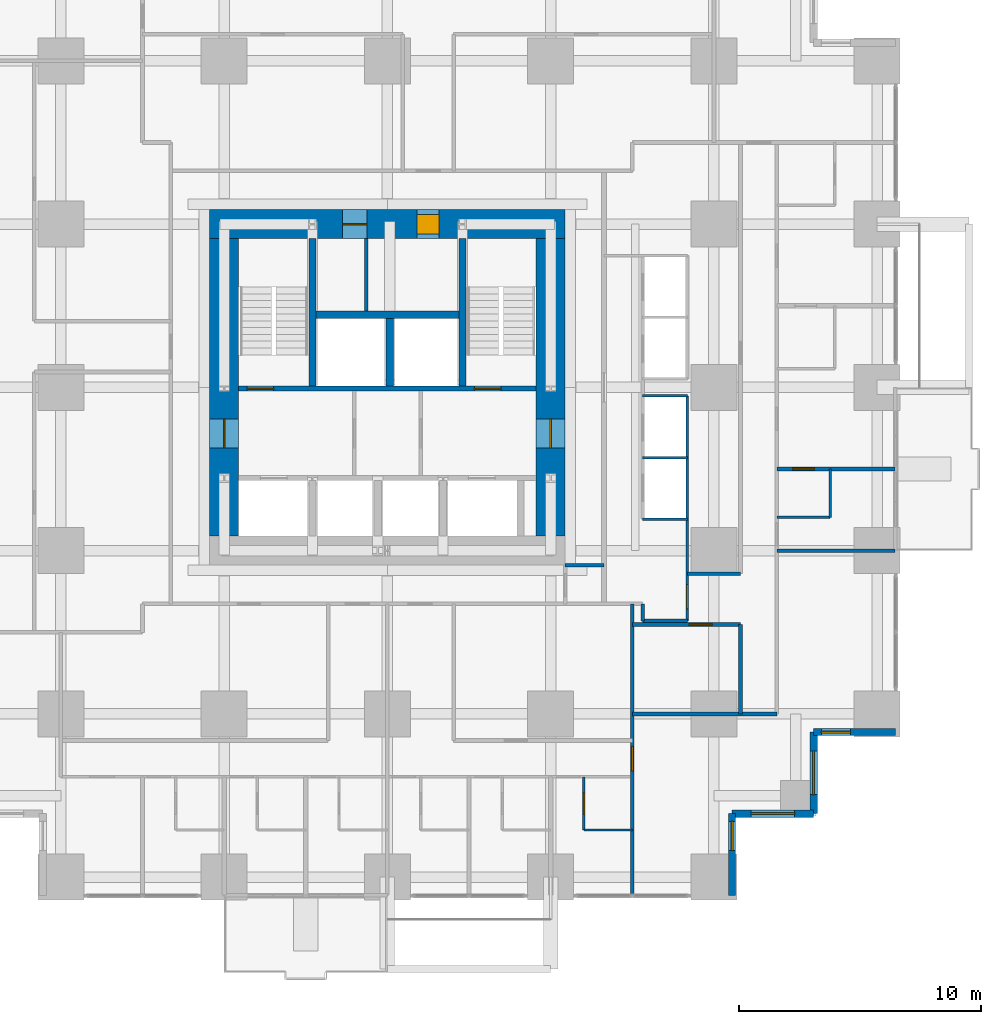
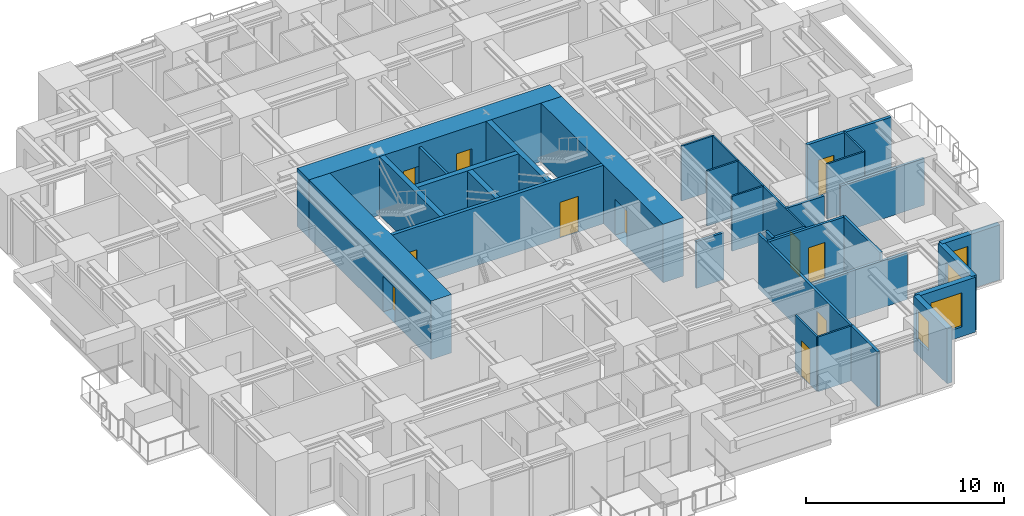
# One storey, part 10 of 14: 31 walls, 11 doors, 4 windows, 15 openings.
"""IFC4 building model written with IfcOpenShell, lengths in metres."""

from ifc_helpers import new_model, si_unit, direction, frame, frame_2d, origin, place, context, subcontext, project, spatial, rectangle, extrude, material, layer, layer_set, type_object, element, fill, save


model = new_model("IFC4")

# Units and contexts
model_context = context("Model", 3, precision=1e-05, world=origin(), true_north=direction((0.0, 1.0)))
body_context = subcontext(model_context, "Body", "Model", "MODEL_VIEW")
ifc_project = project(units=[si_unit("LENGTHUNIT", "METRE"), si_unit("AREAUNIT", "SQUARE_METRE"), si_unit("VOLUMEUNIT", "CUBIC_METRE"), si_unit("PLANEANGLEUNIT", "RADIAN"), si_unit("MASSUNIT", "GRAM", prefix="KILO")], contexts=[model_context])

# Site, building, storey
site_placement = place(None, origin())
site = spatial("IfcSite", under=ifc_project, at=site_placement, CompositionType="ELEMENT")
building_placement = place(site_placement, origin())
building = spatial("IfcBuilding", under=site, at=building_placement, Name="Nyansa Garden Tower", CompositionType="ELEMENT")
storey_placement = place(building_placement, frame((0.0, 0.0, 39.60009765625)))
storey = spatial("IfcBuildingStorey", under=building, at=storey_placement, Name="L10", CompositionType="ELEMENT", Elevation=39.60009765625)

# Wall, opening, door
ifc_material_1 = material(Name="Dense blockwork, plastered both sides, 55 dB", Category="masonry")
ifc_layer_1 = layer(ifc_material_1, 0.175048828125)
ifc_layer_set_1 = layer_set([ifc_layer_1], Name="Acoustic party wall PW175")
wall_type_1 = type_object("IfcWallType", Name="Acoustic party wall PW175", PredefinedType="PARTITIONING", material=ifc_layer_set_1)
wall_1_placement = place(storey_placement, frame((36.35009765625, 16.875, 0.0), z_axis=(0.0, 0.0, 1.0), x_axis=(1.0, 0.0, 0.0)))
wall_1 = element("IfcWall", 1, at=wall_1_placement, inside=storey, type_object=wall_type_1, Name="Party wall", PredefinedType="PARTITIONING", context=body_context, shape_type="SweptSolid", body=[
    extrude(rectangle(XDim=4.8837890625, YDim=0.175048828125, at=frame_2d((2.44189453125, 0.0))), origin(), (0.0, 0.0, 1.0), 3.375),
])
opening_1_placement = place(wall_1_placement, frame((0.64990234375, 0.0, 0.0)))
opening_1 = element("IfcOpeningElement", 2, at=opening_1_placement, cuts=wall_1, Name="Opening D02", PredefinedType="OPENING", context=body_context, shape_type="SweptSolid", body=[
    extrude(rectangle(XDim=0.89990234375, YDim=2.199951171875, at=frame_2d((0.449951171875, 1.10009765625))), frame((0.0, 0.097412109375, 0.0), z_axis=(0.0, -1.0, 0.0), x_axis=(1.0, 0.0, 0.0)), (0.0, 0.0, 1.0), 0.195068359375),
])
ifc_material_2 = material(Name="Timber flush door", Category="wood")
door_type_1 = type_object("IfcDoorType", Name="En-suite door D02 900x2200", OperationType="SINGLE_SWING_RIGHT", PredefinedType="DOOR", material=ifc_material_2)
door_1_placement = place(opening_1_placement, origin())
door_1 = element("IfcDoor", 3, at=door_1_placement, inside=storey, type_object=door_type_1, Name="Door L10-040", OperationType="SINGLE_SWING_RIGHT", OverallHeight=2.199951171875, OverallWidth=0.89990234375, PredefinedType="DOOR", context=body_context, shape_type="SweptSolid", body=[
    extrude(rectangle(XDim=0.89990234375, YDim=2.199951171875, at=frame_2d((0.449951171875, 1.10009765625))), frame((0.0, 0.02490234375, 0.0), z_axis=(0.0, -1.0, 0.0), x_axis=(1.0, 0.0, 0.0)), (0.0, 0.0, 1.0), 0.050048828125),
])
fill(opening_1, door_1)

# Wall, openings, doors
ifc_material_3 = material(Name="Concrete C70/85", Category="concrete")
ifc_layer_2 = layer(ifc_material_3, 0.199951171875)
ifc_layer_set_2 = layer_set([ifc_layer_2], Name="Core inner wall CI200")
wall_type_2 = type_object("IfcWallType", Name="Core inner wall CI200", PredefinedType="SHEAR", material=ifc_layer_set_2)
wall_2_placement = place(storey_placement, frame((14.10009765625, 20.199951171875, 0.0), z_axis=(0.0, 0.0, 1.0), x_axis=(1.0, 0.0, 0.0)))
wall_2 = element("IfcWall", 4, at=wall_2_placement, inside=storey, type_object=wall_type_2, Name="Core inner wall L10", PredefinedType="SHEAR", context=body_context, shape_type="SweptSolid", body=[
    extrude(rectangle(XDim=12.2998046875, YDim=0.199951171875, at=frame_2d((6.14990234375, 0.0))), origin(), (0.0, 0.0, 1.0), 3.599853515625),
])
opening_2_placement = place(wall_2_placement, frame((0.35009765625, 0.0, 0.0)))
opening_2 = element("IfcOpeningElement", 5, at=opening_2_placement, cuts=wall_2, Name="Opening D05", PredefinedType="OPENING", context=body_context, shape_type="SweptSolid", body=[
    extrude(rectangle(XDim=1.10009765625, YDim=2.199951171875, at=frame_2d((0.550048828125, 1.10009765625))), frame((0.0, 0.10986328125, 0.0), z_axis=(0.0, -1.0, 0.0), x_axis=(1.0, 0.0, 0.0)), (0.0, 0.0, 1.0), 0.219970703125),
])
opening_3_placement = place(wall_2_placement, frame((9.75, 0.0, 0.0)))
opening_3 = element("IfcOpeningElement", 6, at=opening_3_placement, cuts=wall_2, Name="Opening D05", PredefinedType="OPENING", context=body_context, shape_type="SweptSolid", body=[
    extrude(rectangle(XDim=1.10009765625, YDim=2.199951171875, at=frame_2d((0.550048828125, 1.10009765625))), frame((0.0, 0.10986328125, 0.0), z_axis=(0.0, -1.0, 0.0), x_axis=(1.0, 0.0, 0.0)), (0.0, 0.0, 1.0), 0.219970703125),
])
ifc_material_4 = material(Name="Steel door, 120 minute fire resisting", Category="steel")
door_type_2 = type_object("IfcDoorType", Name="Stair door D05 1100x2200", OperationType="SINGLE_SWING_LEFT", PredefinedType="DOOR", material=ifc_material_4)
door_2_placement = place(opening_2_placement, origin())
door_2 = element("IfcDoor", 7, at=door_2_placement, inside=storey, type_object=door_type_2, Name="Stair S1 door", OperationType="SINGLE_SWING_LEFT", OverallHeight=2.199951171875, OverallWidth=1.10009765625, PredefinedType="DOOR", context=body_context, shape_type="SweptSolid", body=[
    extrude(rectangle(XDim=1.10009765625, YDim=2.199951171875, at=frame_2d((0.550048828125, 1.10009765625))), frame((0.0, 0.02490234375, 0.0), z_axis=(0.0, -1.0, 0.0), x_axis=(1.0, 0.0, 0.0)), (0.0, 0.0, 1.0), 0.050048828125),
])
fill(opening_2, door_2)
door_3_placement = place(opening_3_placement, origin())
door_3 = element("IfcDoor", 8, at=door_3_placement, inside=storey, type_object=door_type_2, Name="Stair S2 door", OperationType="SINGLE_SWING_LEFT", OverallHeight=2.199951171875, OverallWidth=1.10009765625, PredefinedType="DOOR", context=body_context, shape_type="SweptSolid", body=[
    extrude(rectangle(XDim=1.10009765625, YDim=2.199951171875, at=frame_2d((0.550048828125, 1.10009765625))), frame((0.0, 0.02490234375, 0.0), z_axis=(0.0, -1.0, 0.0), x_axis=(1.0, 0.0, 0.0)), (0.0, 0.0, 1.0), 0.050048828125),
])
fill(opening_3, door_3)

# Walls
ifc_material_5 = material(Name="Concrete C70/85", Category="concrete")
ifc_layer_3 = layer(ifc_material_5, 0.300048828125)
ifc_layer_set_3 = layer_set([ifc_layer_3], Name="Core inner wall CI300")
wall_type_3 = type_object("IfcWallType", Name="Core inner wall CI300", PredefinedType="SHEAR", material=ifc_layer_set_3)
for number, where, z_axis, x_axis, name in (
    (9, (17.14990234375, 20.300048828125, 0.0), (0.0, 0.0, 1.0), (0.0, 1.0, 0.0), "Core inner wall L10"),
    (10, (23.35009765625, 20.300048828125, 0.0), (0.0, 0.0, 1.0), (0.0, 1.0, 0.0), "Core inner wall L10"),
):
    element("IfcWall", number, at=place(storey_placement, frame(where, z_axis=z_axis, x_axis=x_axis)), inside=storey, type_object=wall_type_3, Name=name, PredefinedType="SHEAR", context=body_context, shape_type="SweptSolid", body=[
        extrude(rectangle(XDim=6.099853515625, YDim=0.300048828125, at=frame_2d((3.0498046875, 0.0))), origin(), (0.0, 0.0, 1.0), 3.599853515625),
    ])
wall_3_placement = place(storey_placement, frame((20.35009765625, 20.300048828125, 0.0), z_axis=(0.0, 0.0, 1.0), x_axis=(0.0, 1.0, 0.0)))
element("IfcWall", 11, at=wall_3_placement, inside=storey, type_object=wall_type_3, Name="Core inner wall L10", PredefinedType="SHEAR", context=body_context, shape_type="SweptSolid", body=[
    extrude(rectangle(XDim=2.800048828125, YDim=0.300048828125, at=frame_2d((1.39990234375, 0.0))), origin(), (0.0, 0.0, 1.0), 3.599853515625),
])
wall_4_placement = place(storey_placement, frame((17.300048828125, 23.25, 0.0), z_axis=(0.0, 0.0, 1.0), x_axis=(1.0, 0.0, 0.0)))
element("IfcWall", 12, at=wall_4_placement, inside=storey, type_object=wall_type_3, Name="Core inner wall L10", PredefinedType="SHEAR", context=body_context, shape_type="SweptSolid", body=[
    extrude(rectangle(XDim=5.89990234375, YDim=0.300048828125, at=frame_2d((2.949951171875, 0.0))), origin(), (0.0, 0.0, 1.0), 3.599853515625),
])

# Wall, opening, door
ifc_material_6 = material(Name="Concrete C80/95", Category="concrete")
ifc_layer_4 = layer(ifc_material_6, 1.199951171875)
ifc_layer_set_4 = layer_set([ifc_layer_4], Name="Core wall CW1200")
wall_type_4 = type_object("IfcWallType", Name="Core wall CW1200", PredefinedType="SHEAR", material=ifc_layer_set_4)
wall_5_placement = place(storey_placement, frame((27.0, 14.10009765625, 0.0), z_axis=(0.0, 0.0, 1.0), x_axis=(0.0, 1.0, 0.0)))
wall_5 = element("IfcWall", 13, at=wall_5_placement, inside=storey, type_object=wall_type_4, Name="Core wall E L10", PredefinedType="SHEAR", context=body_context, shape_type="SweptSolid", body=[
    extrude(rectangle(XDim=12.2998046875, YDim=1.199951171875, at=frame_2d((6.14990234375, 0.0))), origin(), (0.0, 0.0, 1.0), 3.599853515625),
])
opening_4_placement = place(wall_5_placement, frame((3.64990234375, 0.0, 0.0)))
opening_4 = element("IfcOpeningElement", 14, at=opening_4_placement, cuts=wall_5, Name="Opening D06", PredefinedType="OPENING", context=body_context, shape_type="SweptSolid", body=[
    extrude(rectangle(XDim=1.199951171875, YDim=2.199951171875, at=frame_2d((0.60009765625, 1.10009765625))), frame((0.0, 0.60986328125, 0.0), z_axis=(0.0, -1.0, 0.0), x_axis=(1.0, 0.0, 0.0)), (0.0, 0.0, 1.0), 1.219970703125),
])
ifc_material_7 = material(Name="Steel door, 120 minute fire resisting", Category="steel")
door_type_3 = type_object("IfcDoorType", Name="Lobby door D06 1200x2200", OperationType="DOUBLE_DOOR_SINGLE_SWING", PredefinedType="DOOR", material=ifc_material_7)
door_4_placement = place(opening_4_placement, origin())
door_4 = element("IfcDoor", 15, at=door_4_placement, inside=storey, type_object=door_type_3, Name="Lift lobby door east", OperationType="DOUBLE_DOOR_SINGLE_SWING", OverallHeight=2.199951171875, OverallWidth=1.199951171875, PredefinedType="DOOR", context=body_context, shape_type="SweptSolid", body=[
    extrude(rectangle(XDim=1.199951171875, YDim=2.199951171875, at=frame_2d((0.60009765625, 1.10009765625))), frame((0.0, 0.02490234375, 0.0), z_axis=(0.0, -1.0, 0.0), x_axis=(1.0, 0.0, 0.0)), (0.0, 0.0, 1.0), 0.050048828125),
])
fill(opening_4, door_4)

# Wall, openings, doors
wall_6_placement = place(storey_placement, frame((27.60009765625, 27.0, 0.0), z_axis=(0.0, 0.0, 1.0), x_axis=(-1.0, 0.0, 0.0)))
wall_6 = element("IfcWall", 16, at=wall_6_placement, inside=storey, type_object=wall_type_4, Name="Core wall N L10", PredefinedType="SHEAR", context=body_context, shape_type="SweptSolid", body=[
    extrude(rectangle(XDim=14.7001953125, YDim=1.199951171875, at=frame_2d((7.35009765625, 0.0))), origin(), (0.0, 0.0, 1.0), 3.599853515625),
])
opening_5_placement = place(wall_6_placement, frame((5.22509765625, 0.0, 0.0)))
opening_5 = element("IfcOpeningElement", 17, at=opening_5_placement, cuts=wall_6, Name="Opening D15", PredefinedType="OPENING", context=body_context, shape_type="SweptSolid", body=[
    extrude(rectangle(XDim=0.89990234375, YDim=2.199951171875, at=frame_2d((0.449951171875, 1.10009765625))), frame((0.0, 0.60986328125, 0.0), z_axis=(0.0, -1.0, 0.0), x_axis=(1.0, 0.0, 0.0)), (0.0, 0.0, 1.0), 1.219970703125),
])
opening_6_placement = place(wall_6_placement, frame((8.199951171875, 0.0, 0.0)))
opening_6 = element("IfcOpeningElement", 18, at=opening_6_placement, cuts=wall_6, Name="Opening D07", PredefinedType="OPENING", context=body_context, shape_type="SweptSolid", body=[
    extrude(rectangle(XDim=1.0, YDim=2.199951171875, at=frame_2d((0.5, 1.10009765625))), frame((0.0, 0.60986328125, 0.0), z_axis=(0.0, -1.0, 0.0), x_axis=(1.0, 0.0, 0.0)), (0.0, 0.0, 1.0), 1.219970703125),
])
ifc_material_8 = material(Name="Timber flush door, 60 minute fire resisting, self-closing", Category="wood")
door_type_4 = type_object("IfcDoorType", Name="Core room door D15 900x2200", OperationType="SINGLE_SWING_LEFT", PredefinedType="DOOR", material=ifc_material_8)
door_5_placement = place(opening_5_placement, origin())
door_5 = element("IfcDoor", 19, at=door_5_placement, inside=storey, type_object=door_type_4, Name="Core room door", OperationType="SINGLE_SWING_LEFT", OverallHeight=2.199951171875, OverallWidth=0.89990234375, PredefinedType="DOOR", context=body_context, shape_type="SweptSolid", body=[
    extrude(rectangle(XDim=0.89990234375, YDim=2.199951171875, at=frame_2d((0.449951171875, 1.10009765625))), frame((0.0, 0.39990234375, 0.0), z_axis=(0.0, -1.0, 0.0), x_axis=(1.0, 0.0, 0.0)), (0.0, 0.0, 1.0), 0.800048828125),
])
fill(opening_5, door_5)
ifc_material_9 = material(Name="Steel door, 120 minute fire resisting", Category="steel")
door_type_5 = type_object("IfcDoorType", Name="Riser door D07 1000x2200", OperationType="SINGLE_SWING_LEFT", PredefinedType="DOOR", material=ifc_material_9)
door_6_placement = place(opening_6_placement, origin())
door_6 = element("IfcDoor", 20, at=door_6_placement, inside=storey, type_object=door_type_5, Name="Riser and refuse room door", OperationType="SINGLE_SWING_LEFT", OverallHeight=2.199951171875, OverallWidth=1.0, PredefinedType="DOOR", context=body_context, shape_type="SweptSolid", body=[
    extrude(rectangle(XDim=1.0, YDim=2.199951171875, at=frame_2d((0.5, 1.10009765625))), frame((0.0, 0.02490234375, 0.0), z_axis=(0.0, -1.0, 0.0), x_axis=(1.0, 0.0, 0.0)), (0.0, 0.0, 1.0), 0.050048828125),
])
fill(opening_6, door_6)

# Wall, opening, door
wall_7_placement = place(storey_placement, frame((13.5, 26.39990234375, 0.0), z_axis=(0.0, 0.0, 1.0), x_axis=(0.0, -1.0, 0.0)))
wall_7 = element("IfcWall", 21, at=wall_7_placement, inside=storey, type_object=wall_type_4, Name="Core wall W L10", PredefinedType="SHEAR", context=body_context, shape_type="SweptSolid", body=[
    extrude(rectangle(XDim=12.2998046875, YDim=1.199951171875, at=frame_2d((6.14990234375, 0.0))), origin(), (0.0, 0.0, 1.0), 3.599853515625),
])
opening_7_placement = place(wall_7_placement, frame((7.449951171875, 0.0, 0.0)))
opening_7 = element("IfcOpeningElement", 22, at=opening_7_placement, cuts=wall_7, Name="Opening D06", PredefinedType="OPENING", context=body_context, shape_type="SweptSolid", body=[
    extrude(rectangle(XDim=1.199951171875, YDim=2.199951171875, at=frame_2d((0.60009765625, 1.10009765625))), frame((0.0, 0.60986328125, 0.0), z_axis=(0.0, -1.0, 0.0), x_axis=(1.0, 0.0, 0.0)), (0.0, 0.0, 1.0), 1.219970703125),
])
door_7_placement = place(opening_7_placement, origin())
door_7 = element("IfcDoor", 23, at=door_7_placement, inside=storey, type_object=door_type_3, Name="Lift lobby door west", OperationType="DOUBLE_DOOR_SINGLE_SWING", OverallHeight=2.199951171875, OverallWidth=1.199951171875, PredefinedType="DOOR", context=body_context, shape_type="SweptSolid", body=[
    extrude(rectangle(XDim=1.199951171875, YDim=2.199951171875, at=frame_2d((0.60009765625, 1.10009765625))), frame((0.0, 0.02490234375, 0.0), z_axis=(0.0, -1.0, 0.0), x_axis=(1.0, 0.0, 0.0)), (0.0, 0.0, 1.0), 0.050048828125),
])
fill(opening_7, door_7)

# Walls
ifc_material_10 = material(Name="Steel-stud shaft wall, two layers fire-rated board, EI 120", Category="steel")
ifc_layer_5 = layer(ifc_material_10, 0.10009765625)
ifc_layer_set_5 = layer_set([ifc_layer_5], Name="Lift shaft wall SW100")
wall_type_5 = type_object("IfcWallType", Name="Lift shaft wall SW100", PredefinedType="SHEAR", material=ifc_layer_set_5)
for number, where, z_axis, x_axis, name in (
    (24, (30.800048828125, 14.800048828125, 0.0), (0.0, 0.0, 1.0), (1.0, 0.0, 0.0), "Lift shaft wall"),
    (25, (30.800048828125, 17.35009765625, 0.0), (0.0, 0.0, 1.0), (1.0, 0.0, 0.0), "Lift shaft wall"),
    (26, (30.800048828125, 19.89990234375, 0.0), (0.0, 0.0, 1.0), (1.0, 0.0, 0.0), "Lift shaft wall"),
):
    element("IfcWall", number, at=place(storey_placement, frame(where, z_axis=z_axis, x_axis=x_axis)), inside=storey, type_object=wall_type_5, Name=name, PredefinedType="SHEAR", context=body_context, shape_type="SweptSolid", body=[
        extrude(rectangle(XDim=1.849853515625, YDim=0.10009765625, at=frame_2d((0.9248046875, 0.0))), origin(), (0.0, 0.0, 1.0), 3.375),
    ])

# Wall, opening, door
wall_8_placement = place(storey_placement, frame((32.64990234375, 10.60009765625, 0.0), z_axis=(0.0, 0.0, 1.0), x_axis=(0.0, 1.0, 0.0)))
wall_8 = element("IfcWall", 27, at=wall_8_placement, inside=storey, type_object=wall_type_5, Name="Lift shaft wall", PredefinedType="SHEAR", context=body_context, shape_type="SweptSolid", body=[
    extrude(rectangle(XDim=9.2998046875, YDim=0.10009765625, at=frame_2d((4.64990234375, 0.0))), origin(), (0.0, 0.0, 1.0), 3.375),
])
opening_8_placement = place(wall_8_placement, frame((0.5, 0.0, 0.0)))
opening_8 = element("IfcOpeningElement", 28, at=opening_8_placement, cuts=wall_8, Name="Opening D03", PredefinedType="OPENING", context=body_context, shape_type="SweptSolid", body=[
    extrude(rectangle(XDim=1.0, YDim=2.199951171875, at=frame_2d((0.5, 1.10009765625))), frame((0.0, 0.06005859375, 0.0), z_axis=(0.0, -1.0, 0.0), x_axis=(1.0, 0.0, 0.0)), (0.0, 0.0, 1.0), 0.1201171875),
])
ifc_material_11 = material(Name="Timber flush door, 60 minute fire resisting", Category="wood")
door_type_6 = type_object("IfcDoorType", Name="Cluster entrance door D03 1000x2200", OperationType="SINGLE_SWING_LEFT", PredefinedType="DOOR", material=ifc_material_11)
door_8_placement = place(opening_8_placement, origin())
door_8 = element("IfcDoor", 29, at=door_8_placement, inside=storey, type_object=door_type_6, Name="Door L10-041", OperationType="SINGLE_SWING_LEFT", OverallHeight=2.199951171875, OverallWidth=1.0, PredefinedType="DOOR", context=body_context, shape_type="SweptSolid", body=[
    extrude(rectangle(XDim=1.0, YDim=2.199951171875, at=frame_2d((0.5, 1.10009765625))), frame((0.0, 0.02490234375, 0.0), z_axis=(0.0, -1.0, 0.0), x_axis=(1.0, 0.0, 0.0)), (0.0, 0.0, 1.0), 0.050048828125),
])
fill(opening_8, door_8)

# Walls
ifc_material_12 = material(Name="Blockwork, plastered both sides", Category="masonry")
ifc_layer_6 = layer(ifc_material_12, 0.14990234375)
ifc_layer_set_6 = layer_set([ifc_layer_6], Name="Partition PW150")
wall_type_6 = type_object("IfcWallType", Name="Partition PW150", PredefinedType="PARTITIONING", material=ifc_layer_set_6)
wall_9_placement = place(storey_placement, frame((19.375, 23.39990234375, 0.0), z_axis=(0.0, 0.0, 1.0), x_axis=(0.0, 1.0, 0.0)))
element("IfcWall", 30, at=wall_9_placement, inside=storey, type_object=wall_type_6, Name="Partition", PredefinedType="PARTITIONING", context=body_context, shape_type="SweptSolid", body=[
    extrude(rectangle(XDim=3.0, YDim=0.14990234375, at=frame_2d((1.5, 0.0))), origin(), (0.0, 0.0, 1.0), 3.375),
])
wall_10_placement = place(storey_placement, frame((27.60009765625, 12.89990234375, 0.0), z_axis=(0.0, 0.0, 1.0), x_axis=(1.0, 0.0, 0.0)))
element("IfcWall", 31, at=wall_10_placement, inside=storey, type_object=wall_type_6, Name="Partition", PredefinedType="PARTITIONING", context=body_context, shape_type="SweptSolid", body=[
    extrude(rectangle(XDim=1.599853515625, YDim=0.14990234375, at=frame_2d((0.7998046875, 0.0))), origin(), (0.0, 0.0, 1.0), 2.876953125),
])

# Wall, opening, door
wall_11_placement = place(storey_placement, frame((30.375, -0.73388671875, 0.0), z_axis=(0.0, 0.0, 1.0), x_axis=(0.0, 1.0, 0.0)))
wall_11 = element("IfcWall", 32, at=wall_11_placement, inside=storey, type_object=wall_type_6, Name="Partition", PredefinedType="PARTITIONING", context=body_context, shape_type="SweptSolid", body=[
    extrude(rectangle(XDim=12.033935546875, YDim=0.14990234375, at=frame_2d((6.01708984375, 0.0))), origin(), (0.0, 0.0, 1.0), 3.375),
])
opening_9_placement = place(wall_11_placement, frame((5.134033203125, 0.0, 0.0)))
opening_9 = element("IfcOpeningElement", 33, at=opening_9_placement, cuts=wall_11, Name="Opening D03", PredefinedType="OPENING", context=body_context, shape_type="SweptSolid", body=[
    extrude(rectangle(XDim=1.0, YDim=2.199951171875, at=frame_2d((0.5, 1.10009765625))), frame((0.0, 0.0849609375, 0.0), z_axis=(0.0, -1.0, 0.0), x_axis=(1.0, 0.0, 0.0)), (0.0, 0.0, 1.0), 0.169921875),
])
door_9_placement = place(opening_9_placement, origin())
door_9 = element("IfcDoor", 34, at=door_9_placement, inside=storey, type_object=door_type_6, Name="Door L10-034", OperationType="SINGLE_SWING_LEFT", OverallHeight=2.199951171875, OverallWidth=1.0, PredefinedType="DOOR", context=body_context, shape_type="SweptSolid", body=[
    extrude(rectangle(XDim=1.0, YDim=2.199951171875, at=frame_2d((0.5, 1.10009765625))), frame((0.0, 0.02490234375, 0.0), z_axis=(0.0, -1.0, 0.0), x_axis=(1.0, 0.0, 0.0)), (0.0, 0.0, 1.0), 0.050048828125),
])
fill(opening_9, door_9)

# Wall
wall_12_placement = place(storey_placement, frame((30.375, 6.75, 0.0), z_axis=(0.0, 0.0, 1.0), x_axis=(1.0, 0.0, 0.0)))
element("IfcWall", 35, at=wall_12_placement, inside=storey, type_object=wall_type_6, Name="Partition", PredefinedType="PARTITIONING", context=body_context, shape_type="SweptSolid", body=[
    extrude(rectangle(XDim=5.97509765625, YDim=0.14990234375, at=frame_2d((2.987548828125, 0.0))), origin(), (0.0, 0.0, 1.0), 2.876953125),
])

# Wall, opening, door
wall_13_placement = place(storey_placement, frame((30.375, 10.449951171875, 0.0), z_axis=(0.0, 0.0, 1.0), x_axis=(1.0, 0.0, 0.0)))
wall_13 = element("IfcWall", 36, at=wall_13_placement, inside=storey, type_object=wall_type_6, Name="Partition", PredefinedType="PARTITIONING", context=body_context, shape_type="SweptSolid", body=[
    extrude(rectangle(XDim=4.47509765625, YDim=0.14990234375, at=frame_2d((2.237548828125, 0.0))), origin(), (0.0, 0.0, 1.0), 3.375),
])
opening_10_placement = place(wall_13_placement, frame((2.35009765625, 0.0, 0.0)))
opening_10 = element("IfcOpeningElement", 37, at=opening_10_placement, cuts=wall_13, Name="Opening D01", PredefinedType="OPENING", context=body_context, shape_type="SweptSolid", body=[
    extrude(rectangle(XDim=0.949951171875, YDim=2.199951171875, at=frame_2d((0.47509765625, 1.10009765625))), frame((0.0, 0.0849609375, 0.0), z_axis=(0.0, -1.0, 0.0), x_axis=(1.0, 0.0, 0.0)), (0.0, 0.0, 1.0), 0.169921875),
])
ifc_material_13 = material(Name="Timber flush door, 30 minute fire resisting", Category="wood")
door_type_7 = type_object("IfcDoorType", Name="Bedroom door D01 950x2200", OperationType="SINGLE_SWING_LEFT", PredefinedType="DOOR", material=ifc_material_13)
door_10_placement = place(opening_10_placement, origin())
door_10 = element("IfcDoor", 38, at=door_10_placement, inside=storey, type_object=door_type_7, Name="Door L10-043", OperationType="SINGLE_SWING_LEFT", OverallHeight=2.199951171875, OverallWidth=0.949951171875, PredefinedType="DOOR", context=body_context, shape_type="SweptSolid", body=[
    extrude(rectangle(XDim=0.949951171875, YDim=2.199951171875, at=frame_2d((0.47509765625, 1.10009765625))), frame((0.0, 0.02490234375, 0.0), z_axis=(0.0, -1.0, 0.0), x_axis=(1.0, 0.0, 0.0)), (0.0, 0.0, 1.0), 0.050048828125),
])
fill(opening_10, door_10)

# Walls
wall_14_placement = place(storey_placement, frame((30.800048828125, 10.60009765625, 0.0), z_axis=(0.0, 0.0, 1.0), x_axis=(0.0, 1.0, 0.0)))
element("IfcWall", 39, at=wall_14_placement, inside=storey, type_object=wall_type_6, Name="Partition", PredefinedType="PARTITIONING", context=body_context, shape_type="SweptSolid", body=[
    extrude(rectangle(XDim=0.699951171875, YDim=0.14990234375, at=frame_2d((0.35009765625, 0.0))), origin(), (0.0, 0.0, 1.0), 3.375),
])
wall_15_placement = place(storey_placement, frame((30.800048828125, 10.60009765625, 0.0), z_axis=(0.0, 0.0, 1.0), x_axis=(1.0, 0.0, 0.0)))
element("IfcWall", 40, at=wall_15_placement, inside=storey, type_object=wall_type_6, Name="Partition", PredefinedType="PARTITIONING", context=body_context, shape_type="SweptSolid", body=[
    extrude(rectangle(XDim=1.849853515625, YDim=0.14990234375, at=frame_2d((0.9248046875, 0.0))), origin(), (0.0, 0.0, 1.0), 3.375),
])
wall_16_placement = place(storey_placement, frame((32.64990234375, 12.550048828125, 0.0), z_axis=(0.0, 0.0, 1.0), x_axis=(1.0, 0.0, 0.0)))
element("IfcWall", 41, at=wall_16_placement, inside=storey, type_object=wall_type_6, Name="Partition", PredefinedType="PARTITIONING", context=body_context, shape_type="SweptSolid", body=[
    extrude(rectangle(XDim=2.2001953125, YDim=0.14990234375, at=frame_2d((1.10009765625, 0.0))), origin(), (0.0, 0.0, 1.0), 3.375),
])
wall_17_placement = place(storey_placement, frame((34.85009765625, 6.75, 0.0), z_axis=(0.0, 0.0, 1.0), x_axis=(0.0, 1.0, 0.0)))
element("IfcWall", 42, at=wall_17_placement, inside=storey, type_object=wall_type_6, Name="Partition", PredefinedType="PARTITIONING", context=body_context, shape_type="SweptSolid", body=[
    extrude(rectangle(XDim=3.699951171875, YDim=0.14990234375, at=frame_2d((1.85009765625, 0.0))), origin(), (0.0, 0.0, 1.0), 3.375),
])
wall_18_placement = place(storey_placement, frame((36.35009765625, 13.5, 0.0), z_axis=(0.0, 0.0, 1.0), x_axis=(1.0, 0.0, 0.0)))
element("IfcWall", 43, at=wall_18_placement, inside=storey, type_object=wall_type_6, Name="Partition", PredefinedType="PARTITIONING", context=body_context, shape_type="SweptSolid", body=[
    extrude(rectangle(XDim=4.8837890625, YDim=0.14990234375, at=frame_2d((2.44189453125, 0.0))), origin(), (0.0, 0.0, 1.0), 2.876953125),
])

# Wall, opening, window
ifc_material_14 = material(Name="Turquoise glazed tile on concrete blockwork", Category="masonry")
ifc_layer_7 = layer(ifc_material_14, 0.300048828125)
ifc_layer_set_7 = layer_set([ifc_layer_7], Name="Tiled corner wall TW300")
wall_type_7 = type_object("IfcWallType", Name="Tiled corner wall TW300", PredefinedType="SOLIDWALL", material=ifc_layer_set_7)
wall_19_placement = place(storey_placement, frame((34.5, -0.75, 0.0), z_axis=(0.0, 0.0, 1.0), x_axis=(0.0, 1.0, 0.0)))
wall_19 = element("IfcWall", 44, at=wall_19_placement, inside=storey, type_object=wall_type_7, Name="Tiled corner wall L10", PredefinedType="SOLIDWALL", context=body_context, shape_type="SweptSolid", body=[
    extrude(rectangle(XDim=3.375, YDim=0.300048828125, at=frame_2d((1.6875, 0.0))), origin(), (0.0, 0.0, 1.0), 3.375),
])
opening_11_placement = place(wall_19_placement, frame((1.857421875, 0.0, 0.89990234375)))
opening_11 = element("IfcOpeningElement", 45, at=opening_11_placement, cuts=wall_19, Name="Opening W4", PredefinedType="OPENING", context=body_context, shape_type="SweptSolid", body=[
    extrude(rectangle(XDim=1.199951171875, YDim=1.800048828125, at=frame_2d((0.60009765625, 0.89990234375))), frame((0.0, 0.159912109375, 0.0), z_axis=(0.0, -1.0, 0.0), x_axis=(1.0, 0.0, 0.0)), (0.0, 0.0, 1.0), 0.320068359375),
])
ifc_material_15 = material(Name="Black aluminium frame, dark tinted double glazing", Category="aluminium")
window_type_1 = type_object("IfcWindowType", Name="Window W4 1200x1800", PartitioningType="SINGLE_PANEL", PredefinedType="WINDOW", material=ifc_material_15)
window_1_placement = place(opening_11_placement, origin())
window_1 = element("IfcWindow", 46, at=window_1_placement, inside=storey, type_object=window_type_1, Name="Corner window L10", OverallHeight=1.800048828125, OverallWidth=1.199951171875, PartitioningType="SINGLE_PANEL", PredefinedType="WINDOW", context=body_context, shape_type="SweptSolid", body=[
    extrude(rectangle(XDim=1.199951171875, YDim=1.800048828125, at=frame_2d((0.60009765625, 0.89990234375))), frame((0.0, 0.030029296875, 0.0), z_axis=(0.0, -1.0, 0.0), x_axis=(1.0, 0.0, 0.0)), (0.0, 0.0, 1.0), 0.06005859375),
])
fill(opening_11, window_1)

wall_20_placement = place(storey_placement, frame((34.5, 2.625, 0.0), z_axis=(0.0, 0.0, 1.0), x_axis=(1.0, 0.0, 0.0)))
wall_20 = element("IfcWall", 47, at=wall_20_placement, inside=storey, type_object=wall_type_7, Name="Tiled corner wall L10", PredefinedType="SOLIDWALL", context=body_context, shape_type="SweptSolid", body=[
    extrude(rectangle(XDim=3.375, YDim=0.300048828125, at=frame_2d((1.6875, 0.0))), origin(), (0.0, 0.0, 1.0), 3.375),
])
opening_12_placement = place(wall_20_placement, frame((0.78759765625, 0.0, 0.60009765625)))
opening_12 = element("IfcOpeningElement", 48, at=opening_12_placement, cuts=wall_20, Name="Opening W2", PredefinedType="OPENING", context=body_context, shape_type="SweptSolid", body=[
    extrude(rectangle(XDim=1.800048828125, YDim=2.10009765625, at=frame_2d((0.89990234375, 1.050048828125))), frame((0.0, 0.159912109375, 0.0), z_axis=(0.0, -1.0, 0.0), x_axis=(1.0, 0.0, 0.0)), (0.0, 0.0, 1.0), 0.320068359375),
])
ifc_material_16 = material(Name="Black aluminium frame, dark tinted double glazing", Category="aluminium")
window_type_2 = type_object("IfcWindowType", Name="Window W2 1800x2100", PartitioningType="SINGLE_PANEL", PredefinedType="WINDOW", material=ifc_material_16)
window_2_placement = place(opening_12_placement, origin())
window_2 = element("IfcWindow", 49, at=window_2_placement, inside=storey, type_object=window_type_2, Name="Corner window L10", OverallHeight=2.10009765625, OverallWidth=1.800048828125, PartitioningType="SINGLE_PANEL", PredefinedType="WINDOW", context=body_context, shape_type="SweptSolid", body=[
    extrude(rectangle(XDim=1.800048828125, YDim=2.10009765625, at=frame_2d((0.89990234375, 1.050048828125))), frame((0.0, 0.030029296875, 0.0), z_axis=(0.0, -1.0, 0.0), x_axis=(1.0, 0.0, 0.0)), (0.0, 0.0, 1.0), 0.06005859375),
])
fill(opening_12, window_2)

wall_21_placement = place(storey_placement, frame((37.875, 2.625, 0.0), z_axis=(0.0, 0.0, 1.0), x_axis=(0.0, 1.0, 0.0)))
wall_21 = element("IfcWall", 50, at=wall_21_placement, inside=storey, type_object=wall_type_7, Name="Tiled corner wall L10", PredefinedType="SOLIDWALL", context=body_context, shape_type="SweptSolid", body=[
    extrude(rectangle(XDim=3.375, YDim=0.300048828125, at=frame_2d((1.6875, 0.0))), origin(), (0.0, 0.0, 1.0), 3.375),
])
opening_13_placement = place(wall_21_placement, frame((0.78759765625, 0.0, 0.60009765625)))
opening_13 = element("IfcOpeningElement", 51, at=opening_13_placement, cuts=wall_21, Name="Opening W2", PredefinedType="OPENING", context=body_context, shape_type="SweptSolid", body=[
    extrude(rectangle(XDim=1.800048828125, YDim=2.10009765625, at=frame_2d((0.89990234375, 1.050048828125))), frame((0.0, 0.159912109375, 0.0), z_axis=(0.0, -1.0, 0.0), x_axis=(1.0, 0.0, 0.0)), (0.0, 0.0, 1.0), 0.320068359375),
])
window_3_placement = place(opening_13_placement, origin())
window_3 = element("IfcWindow", 52, at=window_3_placement, inside=storey, type_object=window_type_2, Name="Corner window L10", OverallHeight=2.10009765625, OverallWidth=1.800048828125, PartitioningType="SINGLE_PANEL", PredefinedType="WINDOW", context=body_context, shape_type="SweptSolid", body=[
    extrude(rectangle(XDim=1.800048828125, YDim=2.10009765625, at=frame_2d((0.89990234375, 1.050048828125))), frame((0.0, 0.030029296875, 0.0), z_axis=(0.0, -1.0, 0.0), x_axis=(1.0, 0.0, 0.0)), (0.0, 0.0, 1.0), 0.06005859375),
])
fill(opening_13, window_3)

wall_22_placement = place(storey_placement, frame((37.875, 6.0, 0.0), z_axis=(0.0, 0.0, 1.0), x_axis=(1.0, 0.0, 0.0)))
wall_22 = element("IfcWall", 53, at=wall_22_placement, inside=storey, type_object=wall_type_7, Name="Tiled corner wall L10", PredefinedType="SOLIDWALL", context=body_context, shape_type="SweptSolid", body=[
    extrude(rectangle(XDim=3.375, YDim=0.300048828125, at=frame_2d((1.6875, 0.0))), origin(), (0.0, 0.0, 1.0), 3.375),
])
opening_14_placement = place(wall_22_placement, frame((0.3173828125, 0.0, 0.89990234375)))
opening_14 = element("IfcOpeningElement", 54, at=opening_14_placement, cuts=wall_22, Name="Opening W4", PredefinedType="OPENING", context=body_context, shape_type="SweptSolid", body=[
    extrude(rectangle(XDim=1.199951171875, YDim=1.800048828125, at=frame_2d((0.60009765625, 0.89990234375))), frame((0.0, 0.159912109375, 0.0), z_axis=(0.0, -1.0, 0.0), x_axis=(1.0, 0.0, 0.0)), (0.0, 0.0, 1.0), 0.320068359375),
])
window_4_placement = place(opening_14_placement, origin())
window_4 = element("IfcWindow", 55, at=window_4_placement, inside=storey, type_object=window_type_1, Name="Corner window L10", OverallHeight=1.800048828125, OverallWidth=1.199951171875, PartitioningType="SINGLE_PANEL", PredefinedType="WINDOW", context=body_context, shape_type="SweptSolid", body=[
    extrude(rectangle(XDim=1.199951171875, YDim=1.800048828125, at=frame_2d((0.60009765625, 0.89990234375))), frame((0.0, 0.030029296875, 0.0), z_axis=(0.0, -1.0, 0.0), x_axis=(1.0, 0.0, 0.0)), (0.0, 0.0, 1.0), 0.06005859375),
])
fill(opening_14, window_4)

# Wall, opening, door
ifc_material_17 = material(Name="Moisture resistant board on steel studs, tiled", Category="steel")
ifc_layer_8 = layer(ifc_material_17, 0.10009765625)
ifc_layer_set_8 = layer_set([ifc_layer_8], Name="Wet wall PW100")
wall_type_8 = type_object("IfcWallType", Name="Wet wall PW100", PredefinedType="PARTITIONING", material=ifc_layer_set_8)
wall_23_placement = place(storey_placement, frame((28.375, 1.949951171875, 0.0), z_axis=(0.0, 0.0, 1.0), x_axis=(0.0, 1.0, 0.0)))
wall_23 = element("IfcWall", 56, at=wall_23_placement, inside=storey, type_object=wall_type_8, Name="Wet wall", PredefinedType="PARTITIONING", context=body_context, shape_type="SweptSolid", body=[
    extrude(rectangle(XDim=2.199951171875, YDim=0.10009765625, at=frame_2d((1.10009765625, 0.0))), origin(), (0.0, 0.0, 1.0), 3.375),
])
opening_15_placement = place(wall_23_placement, frame((0.64990234375, 0.0, 0.0)))
opening_15 = element("IfcOpeningElement", 57, at=opening_15_placement, cuts=wall_23, Name="Opening D02", PredefinedType="OPENING", context=body_context, shape_type="SweptSolid", body=[
    extrude(rectangle(XDim=0.89990234375, YDim=2.199951171875, at=frame_2d((0.449951171875, 1.10009765625))), frame((0.0, 0.06005859375, 0.0), z_axis=(0.0, -1.0, 0.0), x_axis=(1.0, 0.0, 0.0)), (0.0, 0.0, 1.0), 0.1201171875),
])
door_11_placement = place(opening_15_placement, origin())
door_11 = element("IfcDoor", 58, at=door_11_placement, inside=storey, type_object=door_type_1, Name="Door L10-030", OperationType="SINGLE_SWING_RIGHT", OverallHeight=2.199951171875, OverallWidth=0.89990234375, PredefinedType="DOOR", context=body_context, shape_type="SweptSolid", body=[
    extrude(rectangle(XDim=0.89990234375, YDim=2.199951171875, at=frame_2d((0.449951171875, 1.10009765625))), frame((0.0, 0.02490234375, 0.0), z_axis=(0.0, -1.0, 0.0), x_axis=(1.0, 0.0, 0.0)), (0.0, 0.0, 1.0), 0.050048828125),
])
fill(opening_15, door_11)

# Walls
wall_24_placement = place(storey_placement, frame((28.375, 1.949951171875, 0.0), z_axis=(0.0, 0.0, 1.0), x_axis=(1.0, 0.0, 0.0)))
element("IfcWall", 59, at=wall_24_placement, inside=storey, type_object=wall_type_8, Name="Wet wall", PredefinedType="PARTITIONING", context=body_context, shape_type="SweptSolid", body=[
    extrude(rectangle(XDim=2.0, YDim=0.10009765625, at=frame_2d((1.0, 0.0))), origin(), (0.0, 0.0, 1.0), 3.375),
])
wall_25_placement = place(storey_placement, frame((36.35009765625, 14.875, 0.0), z_axis=(0.0, 0.0, 1.0), x_axis=(1.0, 0.0, 0.0)))
element("IfcWall", 60, at=wall_25_placement, inside=storey, type_object=wall_type_8, Name="Wet wall", PredefinedType="PARTITIONING", context=body_context, shape_type="SweptSolid", body=[
    extrude(rectangle(XDim=2.199951171875, YDim=0.10009765625, at=frame_2d((1.10009765625, 0.0))), origin(), (0.0, 0.0, 1.0), 3.375),
])
wall_26_placement = place(storey_placement, frame((38.550048828125, 14.875, 0.0), z_axis=(0.0, 0.0, 1.0), x_axis=(0.0, 1.0, 0.0)))
element("IfcWall", 61, at=wall_26_placement, inside=storey, type_object=wall_type_8, Name="Wet wall", PredefinedType="PARTITIONING", context=body_context, shape_type="SweptSolid", body=[
    extrude(rectangle(XDim=2.0, YDim=0.10009765625, at=frame_2d((1.0, 0.0))), origin(), (0.0, 0.0, 1.0), 3.375),
])

save(model, "model.ifc")
